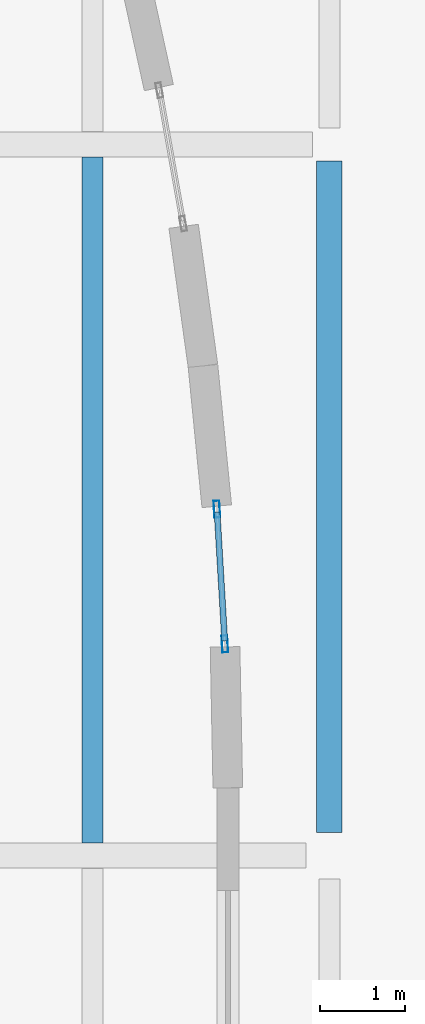
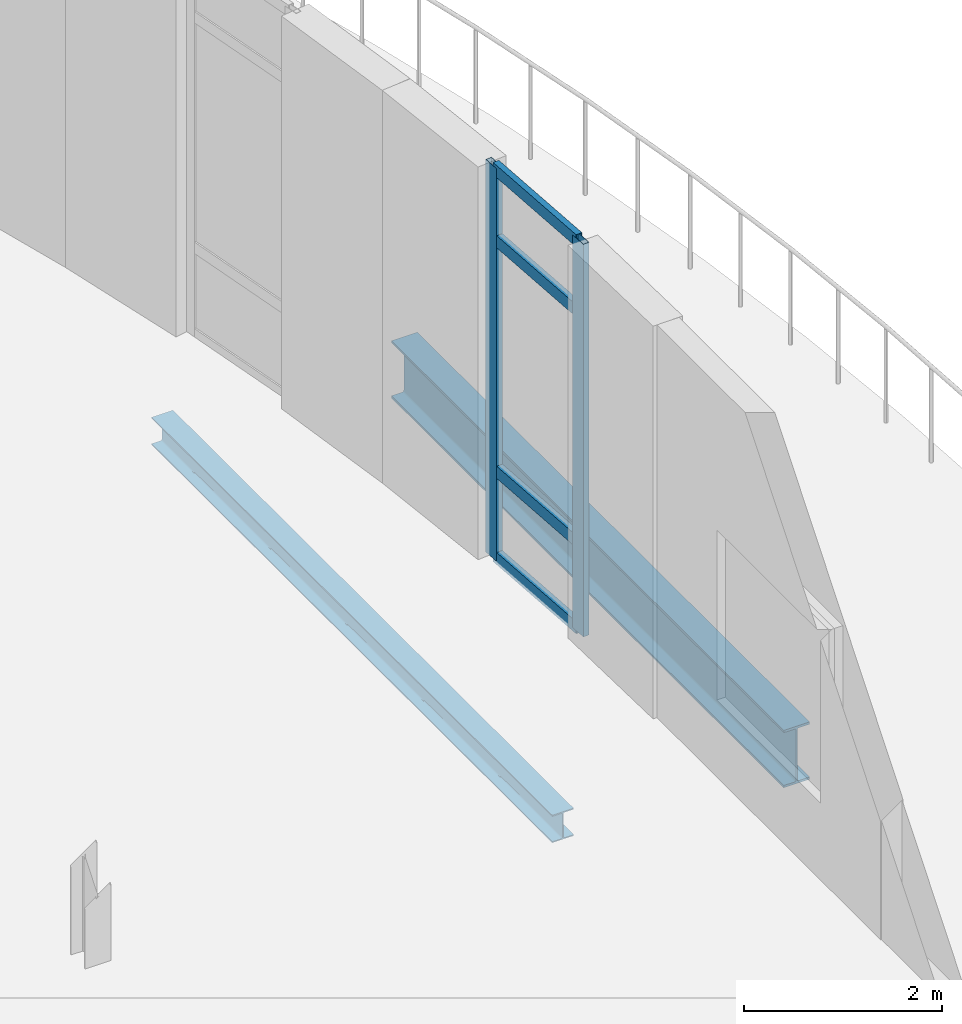
# One storey, part 51 of 91: 6 members, 2 beams, 1 element without a shape of its own.
"""IFC4 building model written with IfcOpenShell, lengths in metres."""

from ifc_helpers import new_model, si_unit, direction, frame, origin, origin_2d, place, context, subcontext, project, spatial, hollow_rectangle, i_section, extrude, material, layer, layer_set, material_profile, profile_set, type_object, element, aggregate, save


model = new_model("IFC4")

# Units and contexts
model_context = context("Model", 3, precision=1e-05, world=origin(), true_north=direction((0.0, 1.0)))
body_context = subcontext(model_context, "Body", "Model", "MODEL_VIEW")
ifc_project = project(units=[si_unit("LENGTHUNIT", "METRE"), si_unit("AREAUNIT", "SQUARE_METRE"), si_unit("VOLUMEUNIT", "CUBIC_METRE"), si_unit("PLANEANGLEUNIT", "RADIAN"), si_unit("MASSUNIT", "GRAM", prefix="KILO"), si_unit("THERMODYNAMICTEMPERATUREUNIT", "KELVIN")], contexts=[model_context])

# Site, building, storey
site_placement = place(None, origin())
site = spatial("IfcSite", under=ifc_project, at=site_placement, CompositionType="ELEMENT")
building_placement = place(site_placement, origin())
building = spatial("IfcBuilding", under=site, at=building_placement, Name="Lustrewick Department Store", CompositionType="ELEMENT")
storey_placement = place(building_placement, frame((0.0, 0.0, 21.60009765625)))
storey = spatial("IfcBuildingStorey", under=building, at=storey_placement, Name="L05", CompositionType="ELEMENT", Elevation=21.60009765625)

# Beam
ifc_material_1 = material(Name="Structural steel Q355B", Category="steel")
ifc_material_profile_1 = material_profile(ifc_material_1, i_section(OverallWidth=0.25, OverallDepth=0.340087890625, WebThickness=0.009033203125, FlangeThickness=0.013916015625, FilletRadius=0.01611328125, at=origin_2d()), Name="HM 340x250x9x14")
ifc_profile_set_1 = profile_set([ifc_material_profile_1], Name="Structural steel Q355B")
beam_type_1 = type_object("IfcBeamType", Name="B08", PredefinedType="JOIST", material=ifc_profile_set_1)
beam_1_placement = place(storey_placement, frame((156.800048828125, 58.949951171875, -0.425048828125), z_axis=(0.0, 1.0, 0.0), x_axis=(-1.0, 0.0, 0.0)))
element("IfcBeam", 1, at=beam_1_placement, inside=storey, type_object=beam_type_1, Name="L05 V4 Secondary Joist B08", PredefinedType="JOIST", context=body_context, shape_type="SweptSolid", body=[
    extrude(i_section(OverallWidth=0.25, OverallDepth=0.340087890625, WebThickness=0.009033203125, FlangeThickness=0.013916015625, FilletRadius=0.01611328125, at=origin_2d()), origin(), (0.0, 0.0, 1.0), 8.10009765625),
])

# Curtain wall, members
ifc_material_2 = material(Name="Thermally broken aluminium 6063-T5", Category="aluminium")
ifc_layer = layer(ifc_material_2, 0.199951171875, Name="Thermally broken aluminium 6063-T5")
ifc_layer_set = layer_set([ifc_layer], Name="Thermally broken aluminium 6063-T5")
curtain_wall_type = type_object("IfcCurtainWallType", Name="CW01", PredefinedType="NOTDEFINED", material=ifc_layer_set)
curtain_wall_placement = place(storey_placement, origin())
curtain_wall = element("IfcCurtainWall", 2, at=curtain_wall_placement, inside=storey, type_object=curtain_wall_type, Name="L05 V4 Curtain Wall CW01", PredefinedType="NOTDEFINED")
ifc_material_profile_2 = material_profile(ifc_material_2, hollow_rectangle(XDim=0.070068359375, YDim=0.199951171875, WallThickness=0.00390625, at=origin_2d()), Name="ALU-M 70x200x4")
ifc_profile_set_2 = profile_set([ifc_material_profile_2], Name="Thermally broken aluminium 6063-T5")
member_type_1 = type_object("IfcMemberType", Name="CW01-M1", PredefinedType="MULLION", material=ifc_profile_set_2)
member_1_placement = place(storey_placement, frame((158.365234375, 61.299560546875, 0.0), z_axis=(0.0, 0.0, 1.0), x_axis=(-0.998266286624, -0.058859332225, 0.0)))
member_1 = element("IfcMember", 3, at=member_1_placement, type_object=member_type_1, Name="CW01 mullion 1", PredefinedType="MULLION", context=body_context, shape_type="SweptSolid", body=[
    extrude(hollow_rectangle(XDim=0.070068359375, YDim=0.199951171875, WallThickness=0.00390625, at=origin_2d()), origin(), (0.0, 0.0, 1.0), 4.844970703125),
])
member_2_placement = place(storey_placement, frame((158.271240234375, 62.891845703125, 0.0), z_axis=(0.0, 0.0, 1.0), x_axis=(-0.998266286624, -0.058859332225, 0.0)))
member_2 = element("IfcMember", 4, at=member_2_placement, type_object=member_type_1, Name="CW01 mullion 2", PredefinedType="MULLION", context=body_context, shape_type="SweptSolid", body=[
    extrude(hollow_rectangle(XDim=0.070068359375, YDim=0.199951171875, WallThickness=0.00390625, at=origin_2d()), origin(), (0.0, 0.0, 1.0), 4.844970703125),
])
ifc_material_profile_3 = material_profile(ifc_material_2, hollow_rectangle(XDim=0.070068359375, YDim=0.14990234375, WallThickness=0.00390625, at=origin_2d()), Name="ALU-T 70x150x4")
ifc_profile_set_3 = profile_set([ifc_material_profile_3], Name="Thermally broken aluminium 6063-T5")
member_type_2 = type_object("IfcMemberType", Name="CW01-T1", PredefinedType="USERDEFINED", material=ifc_profile_set_3)
member_3_placement = place(storey_placement, frame((158.36328125, 61.33447265625, 0.034912109375), z_axis=(-0.058909701748, 0.998263315483, 0.0), x_axis=(-0.998263315483, -0.058909701748, 0.0)))
member_3 = element("IfcMember", 5, at=member_3_placement, type_object=member_type_2, Name="CW01 transom 1.1", ObjectType="TRANSOM", PredefinedType="USERDEFINED", context=body_context, shape_type="SweptSolid", body=[
    extrude(hollow_rectangle(XDim=0.070068359375, YDim=0.14990234375, WallThickness=0.00390625, at=origin_2d()), origin(), (0.0, 0.0, 1.0), 1.525146484375),
])
member_4_placement = place(storey_placement, frame((158.36328125, 61.33447265625, 1.099853515625), z_axis=(-0.058909701748, 0.998263315483, 0.0), x_axis=(-0.998263315483, -0.058909701748, 0.0)))
member_4 = element("IfcMember", 6, at=member_4_placement, type_object=member_type_2, Name="CW01 transom 1.2", ObjectType="TRANSOM", PredefinedType="USERDEFINED", context=body_context, shape_type="SweptSolid", body=[
    extrude(hollow_rectangle(XDim=0.070068359375, YDim=0.14990234375, WallThickness=0.00390625, at=origin_2d()), origin(), (0.0, 0.0, 1.0), 1.525146484375),
])
member_5_placement = place(storey_placement, frame((158.36328125, 61.33447265625, 3.94482421875), z_axis=(-0.058909701748, 0.998263315483, 0.0), x_axis=(-0.998263315483, -0.058909701748, 0.0)))
member_5 = element("IfcMember", 7, at=member_5_placement, type_object=member_type_2, Name="CW01 transom 1.3", ObjectType="TRANSOM", PredefinedType="USERDEFINED", context=body_context, shape_type="SweptSolid", body=[
    extrude(hollow_rectangle(XDim=0.070068359375, YDim=0.14990234375, WallThickness=0.00390625, at=origin_2d()), origin(), (0.0, 0.0, 1.0), 1.525146484375),
])
member_6_placement = place(storey_placement, frame((158.36328125, 61.33447265625, 4.809814453125), z_axis=(-0.058909701748, 0.998263315483, 0.0), x_axis=(-0.998263315483, -0.058909701748, 0.0)))
member_6 = element("IfcMember", 8, at=member_6_placement, type_object=member_type_2, Name="CW01 transom 1.4", ObjectType="TRANSOM", PredefinedType="USERDEFINED", context=body_context, shape_type="SweptSolid", body=[
    extrude(hollow_rectangle(XDim=0.070068359375, YDim=0.14990234375, WallThickness=0.00390625, at=origin_2d()), origin(), (0.0, 0.0, 1.0), 1.525146484375),
])
aggregate(curtain_wall, [member_1, member_2, member_3, member_4, member_5, member_6])

# Beam
ifc_material_3 = material(Name="Structural steel Q355C", Category="steel")
ifc_material_profile_4 = material_profile(ifc_material_3, i_section(OverallWidth=0.302001953125, OverallDepth=0.7080078125, WebThickness=0.014892578125, FlangeThickness=0.028076171875, FilletRadius=0.02001953125, at=origin_2d()), Name="HN 708x302x15x28")
ifc_profile_set_4 = profile_set([ifc_material_profile_4], Name="Structural steel Q355C")
beam_type_2 = type_object("IfcBeamType", Name="G07", PredefinedType="BEAM", material=ifc_profile_set_4)
beam_2_placement = place(storey_placement, frame((159.60009765625, 59.074951171875, -0.609130859375), z_axis=(0.0, 1.0, 0.0), x_axis=(-1.0, 0.0, 0.0)))
element("IfcBeam", 9, at=beam_2_placement, inside=storey, type_object=beam_type_2, Name="L05 V4 Girder G07", PredefinedType="BEAM", context=body_context, shape_type="SweptSolid", body=[
    extrude(i_section(OverallWidth=0.302001953125, OverallDepth=0.7080078125, WebThickness=0.014892578125, FlangeThickness=0.028076171875, FilletRadius=0.02001953125, at=origin_2d()), origin(), (0.0, 0.0, 1.0), 7.93115234375),
])

save(model, "model.ifc")
